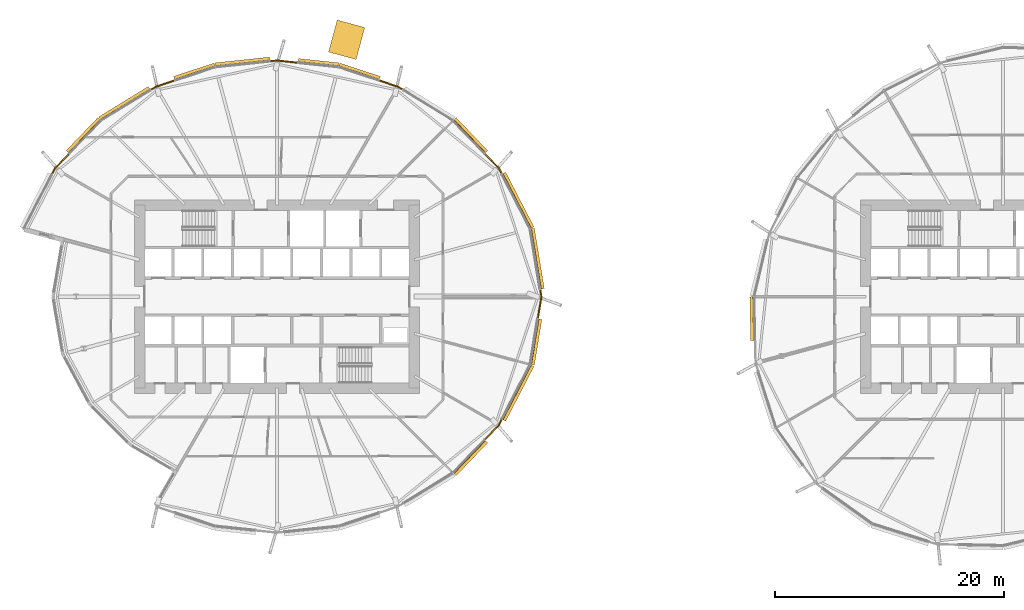
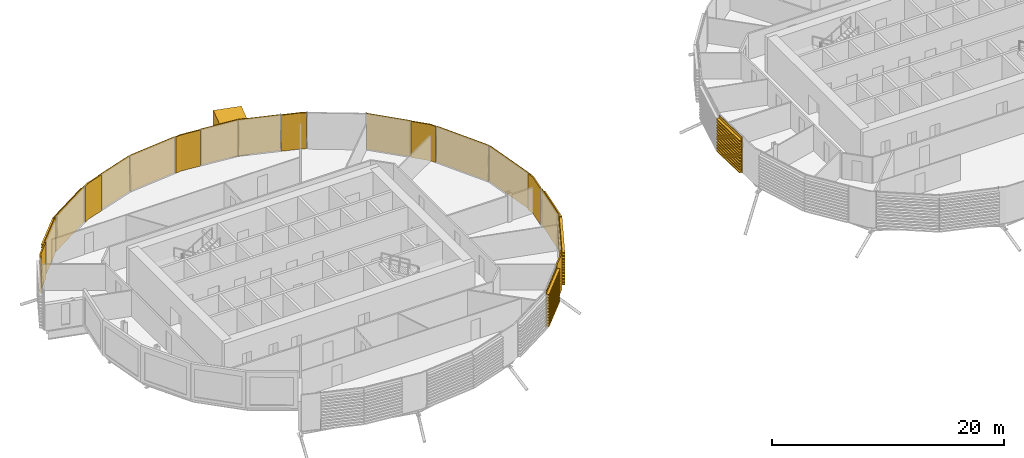
# One storey, part 35 of 38: 21 coverings.
"""IFC4 building model written with IfcOpenShell, lengths in metres."""

from ifc_helpers import new_model, si_unit, direction, frame, origin, place, context, subcontext, project, spatial, polyline, outline, extrude, material, layer, layer_set, material_profile, profile_set, type_object, element, save


model = new_model("IFC4")

# Units and contexts
model_context = context("Model", 3, precision=1e-05, world=origin(), true_north=direction((0.0, 1.0)))
body_context = subcontext(model_context, "Body", "Model", "MODEL_VIEW")
ifc_project = project(units=[si_unit("LENGTHUNIT", "METRE"), si_unit("AREAUNIT", "SQUARE_METRE"), si_unit("VOLUMEUNIT", "CUBIC_METRE"), si_unit("PLANEANGLEUNIT", "RADIAN"), si_unit("MASSUNIT", "GRAM", prefix="KILO")], contexts=[model_context])

# Site, building, storey
site_placement = place(None, origin())
site = spatial("IfcSite", under=ifc_project, at=site_placement, CompositionType="ELEMENT")
building_placement = place(site_placement, origin())
building = spatial("IfcBuilding", under=site, at=building_placement, Name="Rimbun Link Towers", CompositionType="ELEMENT")
storey_placement = place(building_placement, frame((0.0, 0.0, 56.60009765625)))
storey = spatial("IfcBuildingStorey", under=building, at=storey_placement, Name="L13", CompositionType="ELEMENT", Elevation=56.60009765625)

# Coverings
ifc_material_1 = material(Name="Terracotta-faced insulated sandwich panel", Category="masonry")
ifc_layer_1 = layer(ifc_material_1, 0.10009765625)
ifc_layer_set_1 = layer_set([ifc_layer_1], Name="CAPSULE service module")
covering_type_1 = type_object("IfcCoveringType", Name="CAPSULE service module", PredefinedType="CLADDING", material=ifc_layer_set_1)
covering_1_placement = place(storey_placement, frame((0.0, 0.0, -0.800048828125)))
element("IfcCovering", 1, at=covering_1_placement, inside=storey, type_object=covering_type_1, Name="CAPSULE D121.04 service module", PredefinedType="CLADDING", context=body_context, shape_type="SweptSolid", body=[
    extrude(outline(polyline([(-24.067138671875, 23.54248046875), (-26.47998046875, 24.197265625), (-27.2392578125, 21.3984375), (-24.82666015625, 20.74365234375), (-24.067138671875, 23.54248046875)])), origin(), (0.0, 0.0, 1.0), 3.159912109375),
])
ifc_material_2 = material(Name="Terracotta", Category="masonry")
ifc_layer_2 = layer(ifc_material_2, 0.1201171875)
ifc_layer_set_2 = layer_set([ifc_layer_2], Name="LINK PIER terracotta cladding 120")
covering_type_2 = type_object("IfcCoveringType", Name="LINK PIER terracotta cladding 120", PredefinedType="CLADDING", material=ifc_layer_set_2)
covering_2_placement = place(storey_placement, origin())
element("IfcCovering", 2, at=covering_2_placement, inside=storey, type_object=covering_type_2, Name="LINK PIER cladding", PredefinedType="CLADDING", context=body_context, shape_type="SweptSolid", body=[
    extrude(outline(polyline([(-8.779541015625, 0.61181640625), (-8.678955078125, 0.0), (-8.990478515625, -1.89453125), (-8.8720703125, -1.9140625), (-8.557373046875, 0.0), (-8.6611328125, 0.63134765625), (-8.779541015625, 0.61181640625)])), origin(), (0.0, 0.0, 1.0), 3.7998046875),
])
covering_3_placement = place(storey_placement, origin())
element("IfcCovering", 3, at=covering_3_placement, inside=storey, type_object=covering_type_2, Name="LINK PIER cladding", PredefinedType="CLADDING", context=body_context, shape_type="SweptSolid", body=[
    extrude(outline(polyline([(-13.6015625, 12.462890625), (-12.37646484375, 11.185302734375), (-12.137451171875, 10.723388671875), (-12.031005859375, 10.778564453125), (-12.27783203125, 11.255859375), (-13.514892578125, 12.5458984375), (-13.6015625, 12.462890625)])), origin(), (0.0, 0.0, 1.0), 3.7998046875),
])
covering_4_placement = place(storey_placement, origin())
element("IfcCovering", 4, at=covering_4_placement, inside=storey, type_object=covering_type_2, Name="LINK PIER cladding", PredefinedType="CLADDING", context=body_context, shape_type="SweptSolid", body=[
    extrude(outline(polyline([(-22.811767578125, 18.8505859375), (-21.178955078125, 18.3095703125), (-20.73583984375, 18.037353515625), (-20.673095703125, 18.1396484375), (-21.128173828125, 18.4189453125), (-22.77392578125, 18.96435546875), (-22.811767578125, 18.8505859375)])), origin(), (0.0, 0.0, 1.0), 3.7998046875),
])
covering_5_placement = place(storey_placement, origin())
element("IfcCovering", 5, at=covering_5_placement, inside=storey, type_object=covering_type_2, Name="LINK PIER cladding", PredefinedType="CLADDING", context=body_context, shape_type="SweptSolid", body=[
    extrude(outline(polyline([(-32.31689453125, 20.539306640625), (-31.75, 20.59912109375), (-29.93994140625, 20.408447265625), (-29.927490234375, 20.52783203125), (-31.75, 20.7197265625), (-32.329345703125, 20.65869140625), (-32.31689453125, 20.539306640625)])), origin(), (0.0, 0.0, 1.0), 3.7998046875),
])
covering_6_placement = place(storey_placement, origin())
element("IfcCovering", 6, at=covering_6_placement, inside=storey, type_object=covering_type_2, Name="LINK PIER cladding", PredefinedType="CLADDING", context=body_context, shape_type="SweptSolid", body=[
    extrude(outline(polyline([(-42.76416015625, 18.037353515625), (-42.321044921875, 18.3095703125), (-40.688232421875, 18.8505859375), (-40.72607421875, 18.96435546875), (-42.371826171875, 18.4189453125), (-42.826904296875, 18.1396484375), (-42.76416015625, 18.037353515625)])), origin(), (0.0, 0.0, 1.0), 3.7998046875),
])
covering_7_placement = place(storey_placement, origin())
element("IfcCovering", 7, at=covering_7_placement, inside=storey, type_object=covering_type_2, Name="LINK PIER cladding", PredefinedType="CLADDING", context=body_context, shape_type="SweptSolid", body=[
    extrude(outline(polyline([(-51.385498046875, 10.678955078125), (-51.12353515625, 11.185302734375), (-49.8984375, 12.462890625), (-49.985107421875, 12.5458984375), (-51.22216796875, 11.255859375), (-51.491943359375, 10.734130859375), (-51.385498046875, 10.678955078125)])), origin(), (0.0, 0.0, 1.0), 3.7998046875),
])
covering_8_placement = place(storey_placement, origin())
element("IfcCovering", 8, at=covering_8_placement, inside=storey, type_object=covering_type_2, Name="LINK PIER cladding", PredefinedType="CLADDING", context=body_context, shape_type="SweptSolid", body=[
    extrude(outline(polyline([(-12.137451171875, -10.723388671875), (-12.37646484375, -11.185302734375), (-13.6015625, -12.462890625), (-13.514892578125, -12.5458984375), (-12.27783203125, -11.255859375), (-12.031005859375, -10.778564453125), (-12.137451171875, -10.723388671875)])), origin(), (0.0, 0.0, 1.0), 3.7998046875),
])
ifc_material_3 = material(Name="Terracotta", Category="masonry")
ifc_material_profile = material_profile(ifc_material_3, outline(polyline([(0.123046875, 0.0), (0.1630859375, 0.0), (0.1630859375, 0.10009765625), (0.423095703125, 0.10009765625), (0.423095703125, 0.219970703125), (0.1630859375, 0.219970703125), (0.1630859375, 0.39990234375), (0.423095703125, 0.39990234375), (0.423095703125, 0.52001953125), (0.1630859375, 0.52001953125), (0.1630859375, 0.699951171875), (0.423095703125, 0.699951171875), (0.423095703125, 0.820068359375), (0.1630859375, 0.820068359375), (0.1630859375, 1.0), (0.423095703125, 1.0), (0.423095703125, 1.1201171875), (0.1630859375, 1.1201171875), (0.1630859375, 1.300048828125), (0.423095703125, 1.300048828125), (0.423095703125, 1.419921875), (0.1630859375, 1.419921875), (0.1630859375, 1.60009765625), (0.423095703125, 1.60009765625), (0.423095703125, 1.719970703125), (0.1630859375, 1.719970703125), (0.1630859375, 1.89990234375), (0.423095703125, 1.89990234375), (0.423095703125, 2.02001953125), (0.1630859375, 2.02001953125), (0.1630859375, 2.199951171875), (0.423095703125, 2.199951171875), (0.423095703125, 2.320068359375), (0.1630859375, 2.320068359375), (0.1630859375, 2.5), (0.423095703125, 2.5), (0.423095703125, 2.6201171875), (0.1630859375, 2.6201171875), (0.1630859375, 2.800048828125), (0.423095703125, 2.800048828125), (0.423095703125, 2.919921875), (0.1630859375, 2.919921875), (0.1630859375, 3.10009765625), (0.423095703125, 3.10009765625), (0.423095703125, 3.219970703125), (0.1630859375, 3.219970703125), (0.1630859375, 3.39990234375), (0.423095703125, 3.39990234375), (0.423095703125, 3.52001953125), (0.1630859375, 3.52001953125), (0.1630859375, 3.800048828125), (0.123046875, 3.800048828125), (0.123046875, 0.0)])), Name="BAGUETTE 120X300")
ifc_profile_set = profile_set([ifc_material_profile], Name="Terracotta")
covering_type_3 = type_object("IfcCoveringType", Name="TERRACOTTA BAGUETTE 120X300 H3800", PredefinedType="CLADDING", material=ifc_profile_set)
covering_9_placement = place(storey_placement, frame((-9.652587890625, 5.9208984375, 0.0), z_axis=(0.162260158784, -0.986748012854, 0.0), x_axis=(0.986748012854, 0.162260158784, 0.0)))
element("IfcCovering", 9, at=covering_9_placement, inside=storey, type_object=covering_type_3, Name="TERRACOTTA BAGUETTE", PredefinedType="CLADDING", context=body_context, shape_type="SweptSolid", body=[
    extrude(outline(polyline([(0.123046875, 0.0), (0.1630859375, 0.0), (0.1630859375, 0.10009765625), (0.423095703125, 0.10009765625), (0.423095703125, 0.219970703125), (0.1630859375, 0.219970703125), (0.1630859375, 0.39990234375), (0.423095703125, 0.39990234375), (0.423095703125, 0.52001953125), (0.1630859375, 0.52001953125), (0.1630859375, 0.699951171875), (0.423095703125, 0.699951171875), (0.423095703125, 0.820068359375), (0.1630859375, 0.820068359375), (0.1630859375, 1.0), (0.423095703125, 1.0), (0.423095703125, 1.1201171875), (0.1630859375, 1.1201171875), (0.1630859375, 1.300048828125), (0.423095703125, 1.300048828125), (0.423095703125, 1.419921875), (0.1630859375, 1.419921875), (0.1630859375, 1.60009765625), (0.423095703125, 1.60009765625), (0.423095703125, 1.719970703125), (0.1630859375, 1.719970703125), (0.1630859375, 1.89990234375), (0.423095703125, 1.89990234375), (0.423095703125, 2.02001953125), (0.1630859375, 2.02001953125), (0.1630859375, 2.199951171875), (0.423095703125, 2.199951171875), (0.423095703125, 2.320068359375), (0.1630859375, 2.320068359375), (0.1630859375, 2.5), (0.423095703125, 2.5), (0.423095703125, 2.6201171875), (0.1630859375, 2.6201171875), (0.1630859375, 2.800048828125), (0.423095703125, 2.800048828125), (0.423095703125, 2.919921875), (0.1630859375, 2.919921875), (0.1630859375, 3.10009765625), (0.423095703125, 3.10009765625), (0.423095703125, 3.219970703125), (0.1630859375, 3.219970703125), (0.1630859375, 3.39990234375), (0.423095703125, 3.39990234375), (0.423095703125, 3.52001953125), (0.1630859375, 3.52001953125), (0.1630859375, 3.800048828125), (0.123046875, 3.800048828125), (0.123046875, 0.0)])), origin(), (0.0, 0.0, 1.0), 5.350341796875),
])
covering_10_placement = place(storey_placement, frame((-12.123779296875, 10.69677734375, 0.0), z_axis=(0.459556307893, -0.888148636139, 0.0), x_axis=(0.888148636139, 0.459556307893, 0.0)))
element("IfcCovering", 10, at=covering_10_placement, inside=storey, type_object=covering_type_3, Name="TERRACOTTA BAGUETTE", PredefinedType="CLADDING", context=body_context, shape_type="SweptSolid", body=[
    extrude(outline(polyline([(0.123046875, 0.0), (0.1630859375, 0.0), (0.1630859375, 0.10009765625), (0.423095703125, 0.10009765625), (0.423095703125, 0.219970703125), (0.1630859375, 0.219970703125), (0.1630859375, 0.39990234375), (0.423095703125, 0.39990234375), (0.423095703125, 0.52001953125), (0.1630859375, 0.52001953125), (0.1630859375, 0.699951171875), (0.423095703125, 0.699951171875), (0.423095703125, 0.820068359375), (0.1630859375, 0.820068359375), (0.1630859375, 1.0), (0.423095703125, 1.0), (0.423095703125, 1.1201171875), (0.1630859375, 1.1201171875), (0.1630859375, 1.300048828125), (0.423095703125, 1.300048828125), (0.423095703125, 1.419921875), (0.1630859375, 1.419921875), (0.1630859375, 1.60009765625), (0.423095703125, 1.60009765625), (0.423095703125, 1.719970703125), (0.1630859375, 1.719970703125), (0.1630859375, 1.89990234375), (0.423095703125, 1.89990234375), (0.423095703125, 2.02001953125), (0.1630859375, 2.02001953125), (0.1630859375, 2.199951171875), (0.423095703125, 2.199951171875), (0.423095703125, 2.320068359375), (0.1630859375, 2.320068359375), (0.1630859375, 2.5), (0.423095703125, 2.5), (0.423095703125, 2.6201171875), (0.1630859375, 2.6201171875), (0.1630859375, 2.800048828125), (0.423095703125, 2.800048828125), (0.423095703125, 2.919921875), (0.1630859375, 2.919921875), (0.1630859375, 3.10009765625), (0.423095703125, 3.10009765625), (0.423095703125, 3.219970703125), (0.1630859375, 3.219970703125), (0.1630859375, 3.39990234375), (0.423095703125, 3.39990234375), (0.423095703125, 3.52001953125), (0.1630859375, 3.52001953125), (0.1630859375, 3.800048828125), (0.123046875, 3.800048828125), (0.123046875, 0.0)])), origin(), (0.0, 0.0, 1.0), 5.37744140625),
])
covering_11_placement = place(storey_placement, frame((-16.384521484375, 15.365478515625, 0.0), z_axis=(0.692086030595, -0.721815022187, 0.0), x_axis=(0.721815022187, 0.692086030595, 0.0)))
element("IfcCovering", 11, at=covering_11_placement, inside=storey, type_object=covering_type_3, Name="TERRACOTTA BAGUETTE", PredefinedType="CLADDING", context=body_context, shape_type="SweptSolid", body=[
    extrude(outline(polyline([(0.123046875, 0.0), (0.1630859375, 0.0), (0.1630859375, 0.10009765625), (0.423095703125, 0.10009765625), (0.423095703125, 0.219970703125), (0.1630859375, 0.219970703125), (0.1630859375, 0.39990234375), (0.423095703125, 0.39990234375), (0.423095703125, 0.52001953125), (0.1630859375, 0.52001953125), (0.1630859375, 0.699951171875), (0.423095703125, 0.699951171875), (0.423095703125, 0.820068359375), (0.1630859375, 0.820068359375), (0.1630859375, 1.0), (0.423095703125, 1.0), (0.423095703125, 1.1201171875), (0.1630859375, 1.1201171875), (0.1630859375, 1.300048828125), (0.423095703125, 1.300048828125), (0.423095703125, 1.419921875), (0.1630859375, 1.419921875), (0.1630859375, 1.60009765625), (0.423095703125, 1.60009765625), (0.423095703125, 1.719970703125), (0.1630859375, 1.719970703125), (0.1630859375, 1.89990234375), (0.423095703125, 1.89990234375), (0.423095703125, 2.02001953125), (0.1630859375, 2.02001953125), (0.1630859375, 2.199951171875), (0.423095703125, 2.199951171875), (0.423095703125, 2.320068359375), (0.1630859375, 2.320068359375), (0.1630859375, 2.5), (0.423095703125, 2.5), (0.423095703125, 2.6201171875), (0.1630859375, 2.6201171875), (0.1630859375, 2.800048828125), (0.423095703125, 2.800048828125), (0.423095703125, 2.919921875), (0.1630859375, 2.919921875), (0.1630859375, 3.10009765625), (0.423095703125, 3.10009765625), (0.423095703125, 3.219970703125), (0.1630859375, 3.219970703125), (0.1630859375, 3.39990234375), (0.423095703125, 3.39990234375), (0.423095703125, 3.52001953125), (0.1630859375, 3.52001953125), (0.1630859375, 3.800048828125), (0.123046875, 3.800048828125), (0.123046875, 0.0)])), origin(), (0.0, 0.0, 1.0), 3.9912109375),
])
covering_12_placement = place(storey_placement, frame((-26.382080078125, 20.03369140625, 0.0), z_axis=(0.949250997576, -0.314519544069, 0.0), x_axis=(0.314519544069, 0.949250997576, 0.0)))
element("IfcCovering", 12, at=covering_12_placement, inside=storey, type_object=covering_type_3, Name="TERRACOTTA BAGUETTE", PredefinedType="CLADDING", context=body_context, shape_type="SweptSolid", body=[
    extrude(outline(polyline([(0.123046875, 0.0), (0.1630859375, 0.0), (0.1630859375, 0.10009765625), (0.423095703125, 0.10009765625), (0.423095703125, 0.219970703125), (0.1630859375, 0.219970703125), (0.1630859375, 0.39990234375), (0.423095703125, 0.39990234375), (0.423095703125, 0.52001953125), (0.1630859375, 0.52001953125), (0.1630859375, 0.699951171875), (0.423095703125, 0.699951171875), (0.423095703125, 0.820068359375), (0.1630859375, 0.820068359375), (0.1630859375, 1.0), (0.423095703125, 1.0), (0.423095703125, 1.1201171875), (0.1630859375, 1.1201171875), (0.1630859375, 1.300048828125), (0.423095703125, 1.300048828125), (0.423095703125, 1.419921875), (0.1630859375, 1.419921875), (0.1630859375, 1.60009765625), (0.423095703125, 1.60009765625), (0.423095703125, 1.719970703125), (0.1630859375, 1.719970703125), (0.1630859375, 1.89990234375), (0.423095703125, 1.89990234375), (0.423095703125, 2.02001953125), (0.1630859375, 2.02001953125), (0.1630859375, 2.199951171875), (0.423095703125, 2.199951171875), (0.423095703125, 2.320068359375), (0.1630859375, 2.320068359375), (0.1630859375, 2.5), (0.423095703125, 2.5), (0.423095703125, 2.6201171875), (0.1630859375, 2.6201171875), (0.1630859375, 2.800048828125), (0.423095703125, 2.800048828125), (0.423095703125, 2.919921875), (0.1630859375, 2.919921875), (0.1630859375, 3.10009765625), (0.423095703125, 3.10009765625), (0.423095703125, 3.219970703125), (0.1630859375, 3.219970703125), (0.1630859375, 3.39990234375), (0.423095703125, 3.39990234375), (0.423095703125, 3.52001953125), (0.1630859375, 3.52001953125), (0.1630859375, 3.800048828125), (0.123046875, 3.800048828125), (0.123046875, 0.0)])), origin(), (0.0, 0.0, 1.0), 3.7314453125),
])
covering_13_placement = place(storey_placement, frame((-29.91015625, 20.4052734375, 0.0), z_axis=(0.994499417847, -0.104742101859, 0.0), x_axis=(0.104742101859, 0.994499417847, 0.0)))
element("IfcCovering", 13, at=covering_13_placement, inside=storey, type_object=covering_type_3, Name="TERRACOTTA BAGUETTE", PredefinedType="CLADDING", context=body_context, shape_type="SweptSolid", body=[
    extrude(outline(polyline([(0.123046875, 0.0), (0.1630859375, 0.0), (0.1630859375, 0.10009765625), (0.423095703125, 0.10009765625), (0.423095703125, 0.219970703125), (0.1630859375, 0.219970703125), (0.1630859375, 0.39990234375), (0.423095703125, 0.39990234375), (0.423095703125, 0.52001953125), (0.1630859375, 0.52001953125), (0.1630859375, 0.699951171875), (0.423095703125, 0.699951171875), (0.423095703125, 0.820068359375), (0.1630859375, 0.820068359375), (0.1630859375, 1.0), (0.423095703125, 1.0), (0.423095703125, 1.1201171875), (0.1630859375, 1.1201171875), (0.1630859375, 1.300048828125), (0.423095703125, 1.300048828125), (0.423095703125, 1.419921875), (0.1630859375, 1.419921875), (0.1630859375, 1.60009765625), (0.423095703125, 1.60009765625), (0.423095703125, 1.719970703125), (0.1630859375, 1.719970703125), (0.1630859375, 1.89990234375), (0.423095703125, 1.89990234375), (0.423095703125, 2.02001953125), (0.1630859375, 2.02001953125), (0.1630859375, 2.199951171875), (0.423095703125, 2.199951171875), (0.423095703125, 2.320068359375), (0.1630859375, 2.320068359375), (0.1630859375, 2.5), (0.423095703125, 2.5), (0.423095703125, 2.6201171875), (0.1630859375, 2.6201171875), (0.1630859375, 2.800048828125), (0.423095703125, 2.800048828125), (0.423095703125, 2.919921875), (0.1630859375, 2.919921875), (0.1630859375, 3.10009765625), (0.423095703125, 3.10009765625), (0.423095703125, 3.219970703125), (0.1630859375, 3.219970703125), (0.1630859375, 3.39990234375), (0.423095703125, 3.39990234375), (0.423095703125, 3.52001953125), (0.1630859375, 3.52001953125), (0.1630859375, 3.800048828125), (0.123046875, 3.800048828125), (0.123046875, 0.0)])), origin(), (0.0, 0.0, 1.0), 3.547607421875),
])
covering_14_placement = place(storey_placement, frame((-37.117919921875, 20.03369140625, 0.0), z_axis=(0.994500990619, 0.104727167717, 0.0), x_axis=(-0.104727167717, 0.994500990619, 0.0)))
element("IfcCovering", 14, at=covering_14_placement, inside=storey, type_object=covering_type_3, Name="TERRACOTTA BAGUETTE", PredefinedType="CLADDING", context=body_context, shape_type="SweptSolid", body=[
    extrude(outline(polyline([(0.123046875, 0.0), (0.1630859375, 0.0), (0.1630859375, 0.10009765625), (0.423095703125, 0.10009765625), (0.423095703125, 0.219970703125), (0.1630859375, 0.219970703125), (0.1630859375, 0.39990234375), (0.423095703125, 0.39990234375), (0.423095703125, 0.52001953125), (0.1630859375, 0.52001953125), (0.1630859375, 0.699951171875), (0.423095703125, 0.699951171875), (0.423095703125, 0.820068359375), (0.1630859375, 0.820068359375), (0.1630859375, 1.0), (0.423095703125, 1.0), (0.423095703125, 1.1201171875), (0.1630859375, 1.1201171875), (0.1630859375, 1.300048828125), (0.423095703125, 1.300048828125), (0.423095703125, 1.419921875), (0.1630859375, 1.419921875), (0.1630859375, 1.60009765625), (0.423095703125, 1.60009765625), (0.423095703125, 1.719970703125), (0.1630859375, 1.719970703125), (0.1630859375, 1.89990234375), (0.423095703125, 1.89990234375), (0.423095703125, 2.02001953125), (0.1630859375, 2.02001953125), (0.1630859375, 2.199951171875), (0.423095703125, 2.199951171875), (0.423095703125, 2.320068359375), (0.1630859375, 2.320068359375), (0.1630859375, 2.5), (0.423095703125, 2.5), (0.423095703125, 2.6201171875), (0.1630859375, 2.6201171875), (0.1630859375, 2.800048828125), (0.423095703125, 2.800048828125), (0.423095703125, 2.919921875), (0.1630859375, 2.919921875), (0.1630859375, 3.10009765625), (0.423095703125, 3.10009765625), (0.423095703125, 3.219970703125), (0.1630859375, 3.219970703125), (0.1630859375, 3.39990234375), (0.423095703125, 3.39990234375), (0.423095703125, 3.52001953125), (0.1630859375, 3.52001953125), (0.1630859375, 3.800048828125), (0.123046875, 3.800048828125), (0.123046875, 0.0)])), origin(), (0.0, 0.0, 1.0), 4.797607421875),
])
covering_15_placement = place(storey_placement, frame((-40.659912109375, 18.860107421875, 0.0), z_axis=(0.949250997576, 0.314519544069, 0.0), x_axis=(-0.314519544069, 0.949250997576, 0.0)))
element("IfcCovering", 15, at=covering_15_placement, inside=storey, type_object=covering_type_3, Name="TERRACOTTA BAGUETTE", PredefinedType="CLADDING", context=body_context, shape_type="SweptSolid", body=[
    extrude(outline(polyline([(0.123046875, 0.0), (0.1630859375, 0.0), (0.1630859375, 0.10009765625), (0.423095703125, 0.10009765625), (0.423095703125, 0.219970703125), (0.1630859375, 0.219970703125), (0.1630859375, 0.39990234375), (0.423095703125, 0.39990234375), (0.423095703125, 0.52001953125), (0.1630859375, 0.52001953125), (0.1630859375, 0.699951171875), (0.423095703125, 0.699951171875), (0.423095703125, 0.820068359375), (0.1630859375, 0.820068359375), (0.1630859375, 1.0), (0.423095703125, 1.0), (0.423095703125, 1.1201171875), (0.1630859375, 1.1201171875), (0.1630859375, 1.300048828125), (0.423095703125, 1.300048828125), (0.423095703125, 1.419921875), (0.1630859375, 1.419921875), (0.1630859375, 1.60009765625), (0.423095703125, 1.60009765625), (0.423095703125, 1.719970703125), (0.1630859375, 1.719970703125), (0.1630859375, 1.89990234375), (0.423095703125, 1.89990234375), (0.423095703125, 2.02001953125), (0.1630859375, 2.02001953125), (0.1630859375, 2.199951171875), (0.423095703125, 2.199951171875), (0.423095703125, 2.320068359375), (0.1630859375, 2.320068359375), (0.1630859375, 2.5), (0.423095703125, 2.5), (0.423095703125, 2.6201171875), (0.1630859375, 2.6201171875), (0.1630859375, 2.800048828125), (0.423095703125, 2.800048828125), (0.423095703125, 2.919921875), (0.1630859375, 2.919921875), (0.1630859375, 3.10009765625), (0.423095703125, 3.10009765625), (0.423095703125, 3.219970703125), (0.1630859375, 3.219970703125), (0.1630859375, 3.39990234375), (0.423095703125, 3.39990234375), (0.423095703125, 3.52001953125), (0.1630859375, 3.52001953125), (0.1630859375, 3.800048828125), (0.123046875, 3.800048828125), (0.123046875, 0.0)])), origin(), (0.0, 0.0, 1.0), 3.7314453125),
])
covering_16_placement = place(storey_placement, frame((-47.115478515625, 15.365478515625, 0.0), z_axis=(0.85215993797, 0.523281415798, 0.0), x_axis=(-0.523281415798, 0.85215993797, 0.0)))
element("IfcCovering", 16, at=covering_16_placement, inside=storey, type_object=covering_type_3, Name="TERRACOTTA BAGUETTE", PredefinedType="CLADDING", context=body_context, shape_type="SweptSolid", body=[
    extrude(outline(polyline([(0.123046875, 0.0), (0.1630859375, 0.0), (0.1630859375, 0.10009765625), (0.423095703125, 0.10009765625), (0.423095703125, 0.219970703125), (0.1630859375, 0.219970703125), (0.1630859375, 0.39990234375), (0.423095703125, 0.39990234375), (0.423095703125, 0.52001953125), (0.1630859375, 0.52001953125), (0.1630859375, 0.699951171875), (0.423095703125, 0.699951171875), (0.423095703125, 0.820068359375), (0.1630859375, 0.820068359375), (0.1630859375, 1.0), (0.423095703125, 1.0), (0.423095703125, 1.1201171875), (0.1630859375, 1.1201171875), (0.1630859375, 1.300048828125), (0.423095703125, 1.300048828125), (0.423095703125, 1.419921875), (0.1630859375, 1.419921875), (0.1630859375, 1.60009765625), (0.423095703125, 1.60009765625), (0.423095703125, 1.719970703125), (0.1630859375, 1.719970703125), (0.1630859375, 1.89990234375), (0.423095703125, 1.89990234375), (0.423095703125, 2.02001953125), (0.1630859375, 2.02001953125), (0.1630859375, 2.199951171875), (0.423095703125, 2.199951171875), (0.423095703125, 2.320068359375), (0.1630859375, 2.320068359375), (0.1630859375, 2.5), (0.423095703125, 2.5), (0.423095703125, 2.6201171875), (0.1630859375, 2.6201171875), (0.1630859375, 2.800048828125), (0.423095703125, 2.800048828125), (0.423095703125, 2.919921875), (0.1630859375, 2.919921875), (0.1630859375, 3.10009765625), (0.423095703125, 3.10009765625), (0.423095703125, 3.219970703125), (0.1630859375, 3.219970703125), (0.1630859375, 3.39990234375), (0.423095703125, 3.39990234375), (0.423095703125, 3.52001953125), (0.1630859375, 3.52001953125), (0.1630859375, 3.800048828125), (0.123046875, 3.800048828125), (0.123046875, 0.0)])), origin(), (0.0, 0.0, 1.0), 5.076171875),
])
for number, where, z_axis, x_axis, name in (
    (17, (-49.877685546875, 12.484619140625, 0.0), (0.692086030595, 0.721815022187, 0.0), (-0.721815022187, 0.692086030595, 0.0), "TERRACOTTA BAGUETTE"),
    (18, (-13.622314453125, -12.484619140625, 0.0), (-0.692086030595, -0.721815022187, 0.0), (0.721815022187, -0.692086030595, 0.0), "TERRACOTTA BAGUETTE"),
):
    element("IfcCovering", number, at=place(storey_placement, frame(where, z_axis=z_axis, x_axis=x_axis)), inside=storey, type_object=covering_type_3, Name=name, PredefinedType="CLADDING", context=body_context, shape_type="SweptSolid", body=[
        extrude(outline(polyline([(0.123046875, 0.0), (0.1630859375, 0.0), (0.1630859375, 0.10009765625), (0.423095703125, 0.10009765625), (0.423095703125, 0.219970703125), (0.1630859375, 0.219970703125), (0.1630859375, 0.39990234375), (0.423095703125, 0.39990234375), (0.423095703125, 0.52001953125), (0.1630859375, 0.52001953125), (0.1630859375, 0.699951171875), (0.423095703125, 0.699951171875), (0.423095703125, 0.820068359375), (0.1630859375, 0.820068359375), (0.1630859375, 1.0), (0.423095703125, 1.0), (0.423095703125, 1.1201171875), (0.1630859375, 1.1201171875), (0.1630859375, 1.300048828125), (0.423095703125, 1.300048828125), (0.423095703125, 1.419921875), (0.1630859375, 1.419921875), (0.1630859375, 1.60009765625), (0.423095703125, 1.60009765625), (0.423095703125, 1.719970703125), (0.1630859375, 1.719970703125), (0.1630859375, 1.89990234375), (0.423095703125, 1.89990234375), (0.423095703125, 2.02001953125), (0.1630859375, 2.02001953125), (0.1630859375, 2.199951171875), (0.423095703125, 2.199951171875), (0.423095703125, 2.320068359375), (0.1630859375, 2.320068359375), (0.1630859375, 2.5), (0.423095703125, 2.5), (0.423095703125, 2.6201171875), (0.1630859375, 2.6201171875), (0.1630859375, 2.800048828125), (0.423095703125, 2.800048828125), (0.423095703125, 2.919921875), (0.1630859375, 2.919921875), (0.1630859375, 3.10009765625), (0.423095703125, 3.10009765625), (0.423095703125, 3.219970703125), (0.1630859375, 3.219970703125), (0.1630859375, 3.39990234375), (0.423095703125, 3.39990234375), (0.423095703125, 3.52001953125), (0.1630859375, 3.52001953125), (0.1630859375, 3.800048828125), (0.123046875, 3.800048828125), (0.123046875, 0.0)])), origin(), (0.0, 0.0, 1.0), 3.9912109375),
    ])
covering_17_placement = place(storey_placement, frame((-9.652587890625, -5.9208984375, 0.0), z_axis=(-0.459556307893, -0.888148636139, 0.0), x_axis=(0.888148636139, -0.459556307893, 0.0)))
element("IfcCovering", 19, at=covering_17_placement, inside=storey, type_object=covering_type_3, Name="TERRACOTTA BAGUETTE", PredefinedType="CLADDING", context=body_context, shape_type="SweptSolid", body=[
    extrude(outline(polyline([(0.123046875, 0.0), (0.1630859375, 0.0), (0.1630859375, 0.10009765625), (0.423095703125, 0.10009765625), (0.423095703125, 0.219970703125), (0.1630859375, 0.219970703125), (0.1630859375, 0.39990234375), (0.423095703125, 0.39990234375), (0.423095703125, 0.52001953125), (0.1630859375, 0.52001953125), (0.1630859375, 0.699951171875), (0.423095703125, 0.699951171875), (0.423095703125, 0.820068359375), (0.1630859375, 0.820068359375), (0.1630859375, 1.0), (0.423095703125, 1.0), (0.423095703125, 1.1201171875), (0.1630859375, 1.1201171875), (0.1630859375, 1.300048828125), (0.423095703125, 1.300048828125), (0.423095703125, 1.419921875), (0.1630859375, 1.419921875), (0.1630859375, 1.60009765625), (0.423095703125, 1.60009765625), (0.423095703125, 1.719970703125), (0.1630859375, 1.719970703125), (0.1630859375, 1.89990234375), (0.423095703125, 1.89990234375), (0.423095703125, 2.02001953125), (0.1630859375, 2.02001953125), (0.1630859375, 2.199951171875), (0.423095703125, 2.199951171875), (0.423095703125, 2.320068359375), (0.1630859375, 2.320068359375), (0.1630859375, 2.5), (0.423095703125, 2.5), (0.423095703125, 2.6201171875), (0.1630859375, 2.6201171875), (0.1630859375, 2.800048828125), (0.423095703125, 2.800048828125), (0.423095703125, 2.919921875), (0.1630859375, 2.919921875), (0.1630859375, 3.10009765625), (0.423095703125, 3.10009765625), (0.423095703125, 3.219970703125), (0.1630859375, 3.219970703125), (0.1630859375, 3.39990234375), (0.423095703125, 3.39990234375), (0.423095703125, 3.52001953125), (0.1630859375, 3.52001953125), (0.1630859375, 3.800048828125), (0.123046875, 3.800048828125), (0.123046875, 0.0)])), origin(), (0.0, 0.0, 1.0), 5.37744140625),
])
covering_18_placement = place(storey_placement, frame((-8.995361328125, -1.924072265625, 0.0), z_axis=(-0.162258052828, -0.986748359154, 0.0), x_axis=(0.986748359154, -0.162258052828, 0.0)))
element("IfcCovering", 20, at=covering_18_placement, inside=storey, type_object=covering_type_3, Name="TERRACOTTA BAGUETTE", PredefinedType="CLADDING", context=body_context, shape_type="SweptSolid", body=[
    extrude(outline(polyline([(0.123046875, 0.0), (0.1630859375, 0.0), (0.1630859375, 0.10009765625), (0.423095703125, 0.10009765625), (0.423095703125, 0.219970703125), (0.1630859375, 0.219970703125), (0.1630859375, 0.39990234375), (0.423095703125, 0.39990234375), (0.423095703125, 0.52001953125), (0.1630859375, 0.52001953125), (0.1630859375, 0.699951171875), (0.423095703125, 0.699951171875), (0.423095703125, 0.820068359375), (0.1630859375, 0.820068359375), (0.1630859375, 1.0), (0.423095703125, 1.0), (0.423095703125, 1.1201171875), (0.1630859375, 1.1201171875), (0.1630859375, 1.300048828125), (0.423095703125, 1.300048828125), (0.423095703125, 1.419921875), (0.1630859375, 1.419921875), (0.1630859375, 1.60009765625), (0.423095703125, 1.60009765625), (0.423095703125, 1.719970703125), (0.1630859375, 1.719970703125), (0.1630859375, 1.89990234375), (0.423095703125, 1.89990234375), (0.423095703125, 2.02001953125), (0.1630859375, 2.02001953125), (0.1630859375, 2.199951171875), (0.423095703125, 2.199951171875), (0.423095703125, 2.320068359375), (0.1630859375, 2.320068359375), (0.1630859375, 2.5), (0.423095703125, 2.5), (0.423095703125, 2.6201171875), (0.1630859375, 2.6201171875), (0.1630859375, 2.800048828125), (0.423095703125, 2.800048828125), (0.423095703125, 2.919921875), (0.1630859375, 2.919921875), (0.1630859375, 3.10009765625), (0.423095703125, 3.10009765625), (0.423095703125, 3.219970703125), (0.1630859375, 3.219970703125), (0.1630859375, 3.39990234375), (0.423095703125, 3.39990234375), (0.423095703125, 3.52001953125), (0.1630859375, 3.52001953125), (0.1630859375, 3.800048828125), (0.123046875, 3.800048828125), (0.123046875, 0.0)])), origin(), (0.0, 0.0, 1.0), 4.050537109375),
])
covering_19_placement = place(storey_placement, frame((10.1005859375, -3.84033203125, 0.0), z_axis=(-0.021037936583, 0.99977867812, 0.0), x_axis=(-0.99977867812, -0.021037936583, 0.0)))
element("IfcCovering", 21, at=covering_19_placement, inside=storey, type_object=covering_type_3, Name="TERRACOTTA BAGUETTE", PredefinedType="CLADDING", context=body_context, shape_type="SweptSolid", body=[
    extrude(outline(polyline([(0.123046875, 0.0), (0.1630859375, 0.0), (0.1630859375, 0.10009765625), (0.423095703125, 0.10009765625), (0.423095703125, 0.219970703125), (0.1630859375, 0.219970703125), (0.1630859375, 0.39990234375), (0.423095703125, 0.39990234375), (0.423095703125, 0.52001953125), (0.1630859375, 0.52001953125), (0.1630859375, 0.699951171875), (0.423095703125, 0.699951171875), (0.423095703125, 0.820068359375), (0.1630859375, 0.820068359375), (0.1630859375, 1.0), (0.423095703125, 1.0), (0.423095703125, 1.1201171875), (0.1630859375, 1.1201171875), (0.1630859375, 1.300048828125), (0.423095703125, 1.300048828125), (0.423095703125, 1.419921875), (0.1630859375, 1.419921875), (0.1630859375, 1.60009765625), (0.423095703125, 1.60009765625), (0.423095703125, 1.719970703125), (0.1630859375, 1.719970703125), (0.1630859375, 1.89990234375), (0.423095703125, 1.89990234375), (0.423095703125, 2.02001953125), (0.1630859375, 2.02001953125), (0.1630859375, 2.199951171875), (0.423095703125, 2.199951171875), (0.423095703125, 2.320068359375), (0.1630859375, 2.320068359375), (0.1630859375, 2.5), (0.423095703125, 2.5), (0.423095703125, 2.6201171875), (0.1630859375, 2.6201171875), (0.1630859375, 2.800048828125), (0.423095703125, 2.800048828125), (0.423095703125, 2.919921875), (0.1630859375, 2.919921875), (0.1630859375, 3.10009765625), (0.423095703125, 3.10009765625), (0.423095703125, 3.219970703125), (0.1630859375, 3.219970703125), (0.1630859375, 3.39990234375), (0.423095703125, 3.39990234375), (0.423095703125, 3.52001953125), (0.1630859375, 3.52001953125), (0.1630859375, 3.800048828125), (0.123046875, 3.800048828125), (0.123046875, 0.0)])), origin(), (0.0, 0.0, 1.0), 3.841064453125),
])

save(model, "model.ifc")
